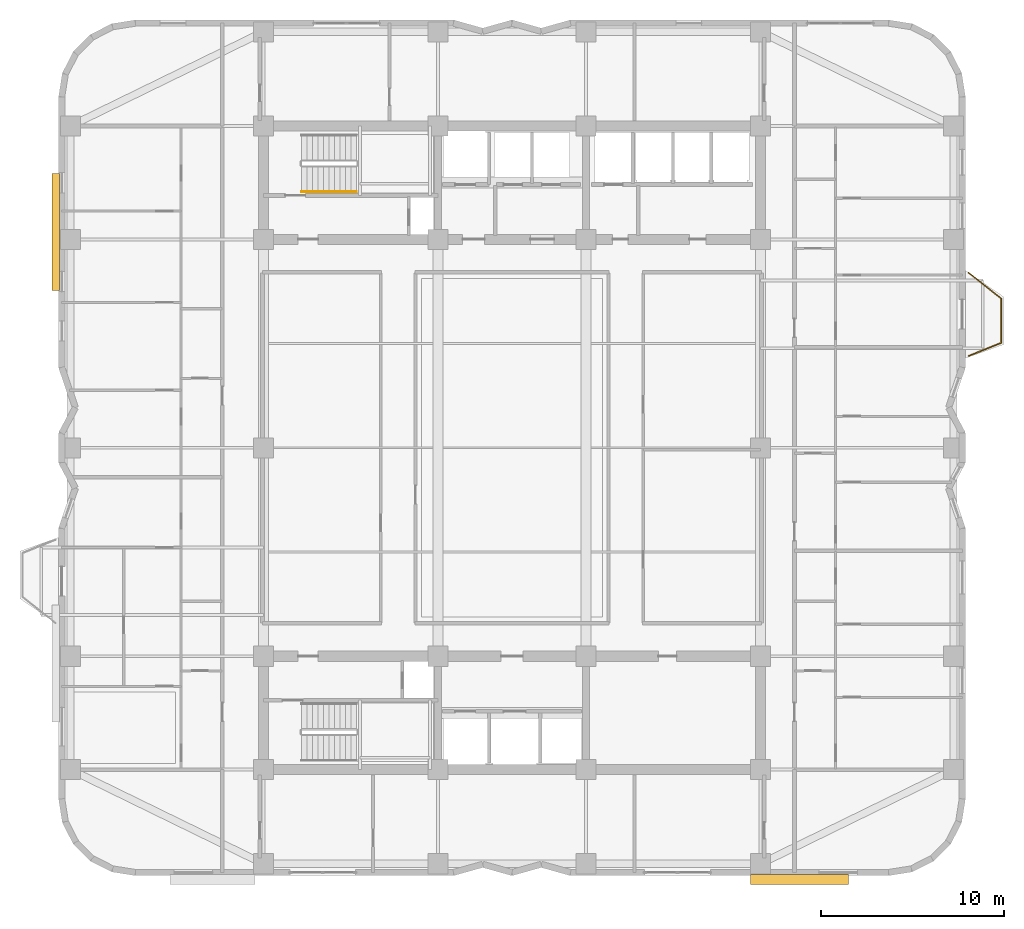
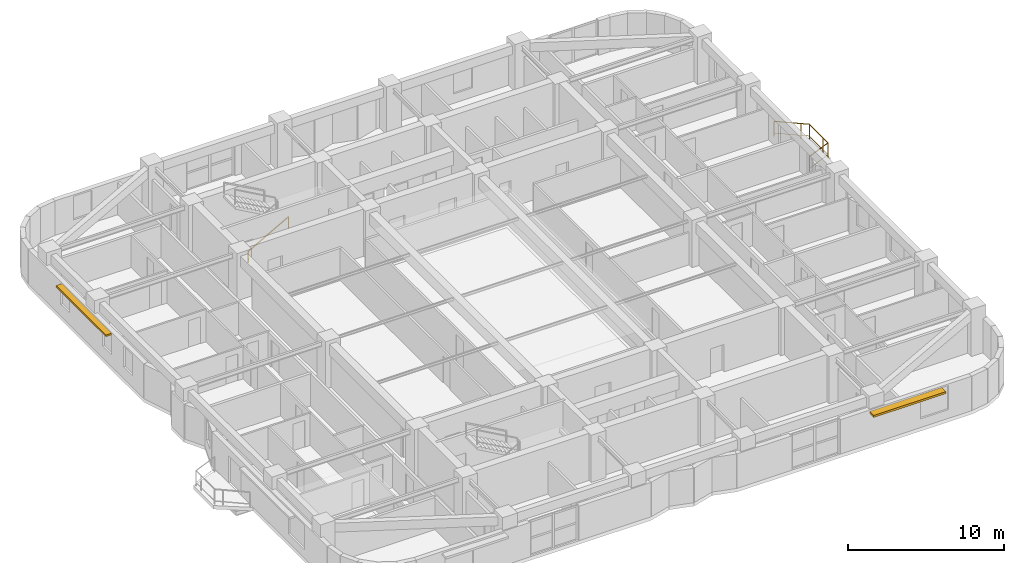
# One storey, part 14 of 15: 2 railings, 2 shading devices.
"""IFC4 building model written with IfcOpenShell, lengths in metres."""

from ifc_helpers import new_model, si_unit, direction, frame, origin, origin_2d, place, context, subcontext, project, spatial, rectangle, extrude, material, layer, layer_set, type_object, element, save


model = new_model("IFC4")

# Units and contexts
model_context = context("Model", 3, precision=1e-05, world=origin(), true_north=direction((0.0, 1.0)))
body_context = subcontext(model_context, "Body", "Model", "MODEL_VIEW")
ifc_project = project(units=[si_unit("LENGTHUNIT", "METRE"), si_unit("AREAUNIT", "SQUARE_METRE"), si_unit("VOLUMEUNIT", "CUBIC_METRE"), si_unit("PLANEANGLEUNIT", "RADIAN"), si_unit("MASSUNIT", "GRAM", prefix="KILO")], contexts=[model_context])

# Site, building, storey
site_placement = place(None, origin())
site = spatial("IfcSite", under=ifc_project, at=site_placement, CompositionType="ELEMENT")
building_placement = place(site_placement, origin())
building = spatial("IfcBuilding", under=site, at=building_placement, Name="Svetorya Sky Lyceum", CompositionType="ELEMENT")
storey_placement = place(building_placement, frame((0.0, 0.0, 117.89990234375)))
storey = spatial("IfcBuildingStorey", under=building, at=storey_placement, Name="L29", CompositionType="ELEMENT", Elevation=117.89990234375)

# Railings
ifc_material_1 = material(Name="Laminated safety glass and stainless AISI 316", Category="glass")
railing_type_1 = type_object("IfcRailingType", Name="RL-BAL-1200", PredefinedType="BALUSTRADE", material=ifc_material_1)
railing_1_placement = place(storey_placement, frame((64.169921875, 37.780029296875, 0.0)))
element("IfcRailing", 1, at=railing_1_placement, inside=storey, type_object=railing_type_1, Name="L29 Balcony Balustrade BAL-E1", PredefinedType="BALUSTRADE", context=body_context, shape_type="SweptSolid", body=[
    extrude(rectangle(XDim=0.048095703125, YDim=0.048095703125, at=origin_2d()), frame((0.0, 0.0, 1.17578125), z_axis=(0.783008919264, -0.622010476079, 0.0), x_axis=(0.622010476079, 0.783008919264, 0.0)), (0.0, 0.0, 1.0), 2.298828125),
    extrude(rectangle(XDim=0.02392578125, YDim=0.02392578125, at=origin_2d()), frame((0.0, 0.0, 0.25), z_axis=(0.783008919264, -0.622010476079, 0.0), x_axis=(0.622010476079, 0.783008919264, 0.0)), (0.0, 0.0, 1.0), 2.298828125),
    extrude(rectangle(XDim=0.048095703125, YDim=0.048095703125, at=origin_2d()), frame((1.800048828125, -1.429931640625, 1.17578125), z_axis=(0.0, -1.0, 0.0), x_axis=(1.0, 0.0, 0.0)), (0.0, 0.0, 1.0), 2.400146484375),
    extrude(rectangle(XDim=0.02392578125, YDim=0.02392578125, at=origin_2d()), frame((1.800048828125, -1.429931640625, 0.25), z_axis=(0.0, -1.0, 0.0), x_axis=(1.0, 0.0, 0.0)), (0.0, 0.0, 1.0), 2.400146484375),
    extrude(rectangle(XDim=0.048095703125, YDim=0.048095703125, at=origin_2d()), frame((1.800048828125, -3.830078125, 1.17578125), z_axis=(-0.926697865975, -0.375807218129, 0.0), x_axis=(0.375807218129, -0.926697865975, 0.0)), (0.0, 0.0, 1.0), 1.9423828125),
    extrude(rectangle(XDim=0.02392578125, YDim=0.02392578125, at=origin_2d()), frame((1.800048828125, -3.830078125, 0.25), z_axis=(-0.926697865975, -0.375807218129, 0.0), x_axis=(0.375807218129, -0.926697865975, 0.0)), (0.0, 0.0, 1.0), 1.9423828125),
    extrude(rectangle(XDim=0.0419921875, YDim=0.0419921875, at=origin_2d()), origin(), (0.0, 0.0, 1.0), 1.15185546875),
    extrude(rectangle(XDim=0.0419921875, YDim=0.0419921875, at=origin_2d()), frame((1.370361328125, -1.088623046875, 0.0)), (0.0, 0.0, 1.0), 1.15185546875),
    extrude(rectangle(XDim=0.0419921875, YDim=0.0419921875, at=origin_2d()), frame((1.800048828125, -1.429931640625, 0.0)), (0.0, 0.0, 1.0), 1.15185546875),
    extrude(rectangle(XDim=0.0419921875, YDim=0.0419921875, at=origin_2d()), frame((1.800048828125, -3.179931640625, 0.0)), (0.0, 0.0, 1.0), 1.15185546875),
    extrude(rectangle(XDim=0.0419921875, YDim=0.0419921875, at=origin_2d()), frame((1.800048828125, -3.830078125, 0.0)), (0.0, 0.0, 1.0), 1.15185546875),
    extrude(rectangle(XDim=0.0419921875, YDim=0.0419921875, at=origin_2d()), frame((0.0, -4.56005859375, 0.0)), (0.0, 0.0, 1.0), 1.15185546875),
])
ifc_material_2 = material(Name="Brushed stainless AISI 304 stair handrail")
railing_type_2 = type_object("IfcRailingType", Name="RL-STR-HAND-920", PredefinedType="HANDRAIL", material=ifc_material_2)
railing_2_placement = place(storey_placement, frame((27.699951171875, 42.199951171875, 0.168212890625)))
element("IfcRailing", 2, at=railing_2_placement, inside=storey, type_object=railing_type_2, Name="L29 ST-N stair handrail 1", PredefinedType="HANDRAIL", context=body_context, shape_type="SweptSolid", body=[
    extrude(rectangle(XDim=0.048095703125, YDim=0.048095703125, at=origin_2d()), frame((0.0, 0.0, 0.8759765625), z_axis=(0.872272294576, 0.0, 0.489020494575), x_axis=(0.0, 1.0, 0.0)), (0.0, 0.0, 1.0), 3.439208984375),
    extrude(rectangle(XDim=0.0419921875, YDim=0.0419921875, at=origin_2d()), origin(), (0.0, 0.0, 1.0), 0.851806640625),
    extrude(rectangle(XDim=0.0419921875, YDim=0.0419921875, at=origin_2d()), frame((3.0, 0.0, 1.681884765625)), (0.0, 0.0, 1.0), 0.851806640625),
])

# Shading devices
ifc_material_3 = material(Name="Champagne-anodized extruded aluminium solar fin", Category="aluminium")
ifc_layer_1 = layer(ifc_material_3, 0.139892578125)
ifc_layer_set_1 = layer_set([ifc_layer_1], Name="Champagne-anodized extruded aluminium solar fin")
shading_device_type_1 = type_object("IfcShadingDeviceType", Name="SHD-FIN-420", PredefinedType="JALOUSIE", material=ifc_layer_set_1)
shading_device_1_placement = place(storey_placement, frame((14.239990234375, 40.0, 2.41015625), z_axis=(0.0, 0.0, 1.0), x_axis=(1.0, 0.0, 0.0)))
element("IfcShadingDevice", 3, at=shading_device_1_placement, inside=storey, type_object=shading_device_type_1, Name="L29 Solar Brise-Soleil SHD-2.40M", PredefinedType="JALOUSIE", context=body_context, shape_type="SweptSolid", body=[
    extrude(rectangle(XDim=0.419921875, YDim=6.39990234375, at=origin_2d()), origin(), (0.0, 0.0, 1.0), 0.139892578125),
])
ifc_material_4 = material(Name="Champagne-anodized extruded aluminium sunshade", Category="aluminium")
ifc_layer_2 = layer(ifc_material_4, 0.159912109375)
ifc_layer_set_2 = layer_set([ifc_layer_2], Name="Champagne-anodized extruded aluminium sunshade")
shading_device_type_2 = type_object("IfcShadingDeviceType", Name="SHD-LVR-540", PredefinedType="AWNING", material=ifc_layer_set_2)
shading_device_2_placement = place(storey_placement, frame((54.925048828125, 4.580078125, 2.39990234375), z_axis=(0.0, 0.0, 1.0), x_axis=(1.0, 0.0, 0.0)))
element("IfcShadingDevice", 4, at=shading_device_2_placement, inside=storey, type_object=shading_device_type_2, Name="L29 Solar Brise-Soleil SHD-1.11B", PredefinedType="AWNING", context=body_context, shape_type="SweptSolid", body=[
    extrude(rectangle(XDim=5.363037109375, YDim=0.5400390625, at=origin_2d()), origin(), (0.0, 0.0, 1.0), 0.159912109375),
])

save(model, "model.ifc")
